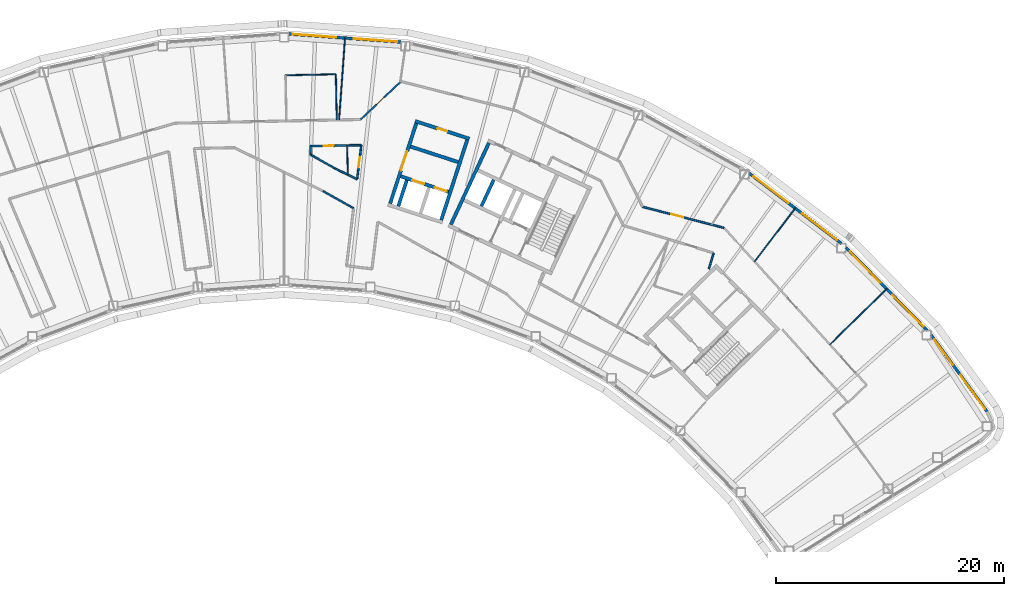
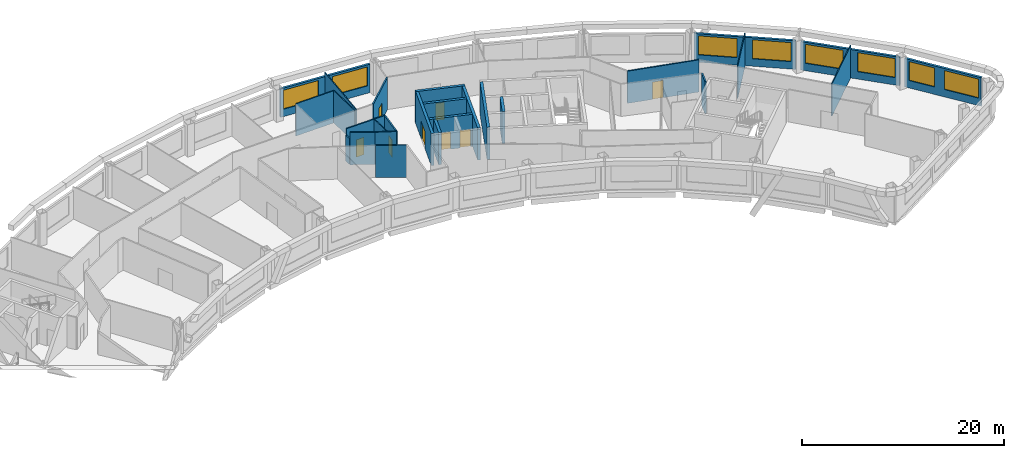
# One storey, part 10 of 14: 27 walls, 8 doors, 8 windows, 16 openings.
"""IFC4 building model written with IfcOpenShell, lengths in metres."""

from ifc_helpers import new_model, si_unit, direction, frame, frame_2d, origin, place, context, subcontext, project, spatial, rectangle, extrude, material, layer, layer_set, type_object, element, fill, save


model = new_model("IFC4")

# Units and contexts
model_context = context("Model", 3, precision=1e-05, world=origin(), true_north=direction((0.0, 1.0)))
body_context = subcontext(model_context, "Body", "Model", "MODEL_VIEW")
ifc_project = project(units=[si_unit("LENGTHUNIT", "METRE"), si_unit("AREAUNIT", "SQUARE_METRE"), si_unit("VOLUMEUNIT", "CUBIC_METRE"), si_unit("PLANEANGLEUNIT", "RADIAN"), si_unit("MASSUNIT", "GRAM", prefix="KILO")], contexts=[model_context])

# Site, building, storey
site_placement = place(None, origin())
site = spatial("IfcSite", under=ifc_project, at=site_placement, CompositionType="ELEMENT")
building_placement = place(site_placement, origin())
building = spatial("IfcBuilding", under=site, at=building_placement, Name="Tuul Gate Civic Tower", CompositionType="ELEMENT")
storey_placement = place(building_placement, frame((0.0, 0.0, 269.39990234375)))
storey = spatial("IfcBuildingStorey", under=building, at=storey_placement, Name="Level 61", CompositionType="ELEMENT", Elevation=269.39990234375)

# Walls
ifc_material_1 = material(Name="Concrete C50/60", Category="concrete")
ifc_layer_1 = layer(ifc_material_1, 0.300048828125)
ifc_layer_set_1 = layer_set([ifc_layer_1], Name="Concrete C50/60")
wall_type_1 = type_object("IfcWallType", Name="Core wall C50/60", PredefinedType="SHEAR", material=ifc_layer_set_1)
wall_1_placement = place(storey_placement, frame((28.349365234375, -1.33447265625, 0.0), z_axis=(0.0, 0.0, 1.0), x_axis=(0.422612891016, 0.906310291427, 0.0)))
element("IfcWall", 1, at=wall_1_placement, inside=storey, type_object=wall_type_1, Name="Core wall", PredefinedType="SHEAR", context=body_context, shape_type="SweptSolid", body=[
    extrude(rectangle(XDim=2.550048828125, YDim=0.300048828125, at=frame_2d((1.27490234375, 0.0))), origin(), (0.0, 0.0, 1.0), 3.900146484375),
])
wall_2_placement = place(storey_placement, frame((25.66455078125, -2.951416015625, 0.0), z_axis=(0.0, 0.0, 1.0), x_axis=(0.422582604137, 0.906324413596, 0.0)))
element("IfcWall", 2, at=wall_2_placement, inside=storey, type_object=wall_type_1, Name="Core wall", PredefinedType="SHEAR", context=body_context, shape_type="SweptSolid", body=[
    extrude(rectangle(XDim=7.89990234375, YDim=0.300048828125, at=frame_2d((3.949951171875, 0.0))), origin(), (0.0, 0.0, 1.0), 3.900146484375),
])

# Wall, opening, door
ifc_material_2 = material(Name="Gypsum board partition")
ifc_layer_2 = layer(ifc_material_2, 0.14990234375)
ifc_layer_set_2 = layer_set([ifc_layer_2], Name="Gypsum board partition")
wall_type_2 = type_object("IfcWallType", Name="Corridor wall P150", PredefinedType="PARTITIONING", material=ifc_layer_set_2)
wall_3_placement = place(storey_placement, frame((42.492919921875, -1.393310546875, 0.0), z_axis=(0.0, 0.0, 1.0), x_axis=(0.968150645679, -0.250368383129, 0.0)))
wall_3 = element("IfcWall", 3, at=wall_3_placement, inside=storey, type_object=wall_type_2, Name="p017", PredefinedType="PARTITIONING", context=body_context, shape_type="SweptSolid", body=[
    extrude(rectangle(XDim=7.377685546875, YDim=0.14990234375, at=frame_2d((3.68896484375, 0.0))), origin(), (0.0, 0.0, 1.0), 3.900146484375),
])
opening_1_placement = place(wall_3_placement, frame((2.579345703125, 0.0, 0.0)))
opening_1 = element("IfcOpeningElement", 4, at=opening_1_placement, cuts=wall_3, Name="Opening W-D05", PredefinedType="OPENING", context=body_context, shape_type="SweptSolid", body=[
    extrude(rectangle(XDim=1.10009765625, YDim=2.10009765625, at=frame_2d((0.550048828125, 1.050048828125))), frame((0.0, 0.0849609375, 0.0), z_axis=(0.0, -1.0, 0.0), x_axis=(1.0, 0.0, 0.0)), (0.0, 0.0, 1.0), 0.169921875),
])
ifc_material_3 = material(Name="Timber door leaf", Category="wood")
door_type_1 = type_object("IfcDoorType", Name="Door D11", OperationType="NOTDEFINED", PredefinedType="DOOR", material=ifc_material_3)
door_1_placement = place(opening_1_placement, origin())
door_1 = element("IfcDoor", 5, at=door_1_placement, inside=storey, type_object=door_type_1, Name="Door W-D05", OperationType="SINGLE_SWING_RIGHT", OverallHeight=2.10009765625, OverallWidth=1.10009765625, PredefinedType="DOOR", context=body_context, shape_type="SweptSolid", body=[
    extrude(rectangle(XDim=1.10009765625, YDim=2.10009765625, at=frame_2d((0.550048828125, 1.050048828125))), frame((0.0, 0.02490234375, 0.0), z_axis=(0.0, -1.0, 0.0), x_axis=(1.0, 0.0, 0.0)), (0.0, 0.0, 1.0), 0.050048828125),
])
fill(opening_1, door_1)

wall_4_placement = place(storey_placement, frame((17.757080078125, 6.2724609375, 0.0), z_axis=(0.0, 0.0, 1.0), x_axis=(0.727431554184, 0.686180248898, 0.0)))
wall_4 = element("IfcWall", 6, at=wall_4_placement, inside=storey, type_object=wall_type_2, Name="p024", PredefinedType="PARTITIONING", context=body_context, shape_type="SweptSolid", body=[
    extrude(rectangle(XDim=4.85302734375, YDim=0.14990234375, at=frame_2d((2.426513671875, 0.0))), origin(), (0.0, 0.0, 1.0), 3.900146484375),
])
opening_2_placement = place(wall_4_placement, frame((1.929931640625, 0.0, 0.0)))
opening_2 = element("IfcOpeningElement", 7, at=opening_2_placement, cuts=wall_4, Name="Opening W-D08", PredefinedType="OPENING", context=body_context, shape_type="SweptSolid", body=[
    extrude(rectangle(XDim=0.89990234375, YDim=2.10009765625, at=frame_2d((0.449951171875, 1.050048828125))), frame((0.0, 0.0849609375, 0.0), z_axis=(0.0, -1.0, 0.0), x_axis=(1.0, 0.0, 0.0)), (0.0, 0.0, 1.0), 0.169921875),
])
ifc_material_4 = material(Name="Timber door leaf", Category="wood")
door_type_2 = type_object("IfcDoorType", Name="Door D09", OperationType="NOTDEFINED", PredefinedType="DOOR", material=ifc_material_4)
door_2_placement = place(opening_2_placement, origin())
door_2 = element("IfcDoor", 8, at=door_2_placement, inside=storey, type_object=door_type_2, Name="Door W-D08", OperationType="SINGLE_SWING_RIGHT", OverallHeight=2.10009765625, OverallWidth=0.89990234375, PredefinedType="DOOR", context=body_context, shape_type="SweptSolid", body=[
    extrude(rectangle(XDim=0.89990234375, YDim=2.10009765625, at=frame_2d((0.449951171875, 1.050048828125))), frame((0.0, 0.02490234375, 0.0), z_axis=(0.0, -1.0, 0.0), x_axis=(1.0, 0.0, 0.0)), (0.0, 0.0, 1.0), 0.050048828125),
])
fill(opening_2, door_2)

# Wall
wall_5_placement = place(storey_placement, frame((14.447265625, -0.01708984375, 0.0), z_axis=(0.0, 0.0, 1.0), x_axis=(0.872175403495, -0.489193280348, 0.0)))
element("IfcWall", 9, at=wall_5_placement, inside=storey, type_object=wall_type_2, Name="p068", PredefinedType="PARTITIONING", context=body_context, shape_type="SweptSolid", body=[
    extrude(rectangle(XDim=3.061767578125, YDim=0.14990234375, at=frame_2d((1.53076171875, 0.0))), origin(), (0.0, 0.0, 1.0), 3.900146484375),
])

# Wall, opening, door
wall_6_placement = place(storey_placement, frame((17.442138671875, 1.023193359375, 0.0), z_axis=(0.0, 0.0, 1.0), x_axis=(0.121882908983, 0.992544485904, 0.0)))
wall_6 = element("IfcWall", 10, at=wall_6_placement, inside=storey, type_object=wall_type_2, Name="p072", PredefinedType="PARTITIONING", context=body_context, shape_type="SweptSolid", body=[
    extrude(rectangle(XDim=3.0166015625, YDim=0.14990234375, at=frame_2d((1.50830078125, 0.0))), origin(), (0.0, 0.0, 1.0), 3.900146484375),
])
opening_3_placement = place(wall_6_placement, frame((1.058349609375, 0.0, 0.0)))
opening_3 = element("IfcOpeningElement", 11, at=opening_3_placement, cuts=wall_6, Name="Opening W-D31", PredefinedType="OPENING", context=body_context, shape_type="SweptSolid", body=[
    extrude(rectangle(XDim=0.89990234375, YDim=2.10009765625, at=frame_2d((0.449951171875, 1.050048828125))), frame((0.0, 0.0849609375, 0.0), z_axis=(0.0, -1.0, 0.0), x_axis=(1.0, 0.0, 0.0)), (0.0, 0.0, 1.0), 0.169921875),
])
door_3_placement = place(opening_3_placement, frame((0.89990234375, 0.0, 0.0), z_axis=(0.0, 0.0, 1.0), x_axis=(-1.0, 0.0, 0.0)))
door_3 = element("IfcDoor", 12, at=door_3_placement, inside=storey, type_object=door_type_2, Name="Door W-D31", OperationType="SINGLE_SWING_LEFT", OverallHeight=2.10009765625, OverallWidth=0.89990234375, PredefinedType="DOOR", context=body_context, shape_type="SweptSolid", body=[
    extrude(rectangle(XDim=0.89990234375, YDim=2.10009765625, at=frame_2d((0.449951171875, 1.050048828125))), frame((0.0, 0.02490234375, 0.0), z_axis=(0.0, -1.0, 0.0), x_axis=(1.0, 0.0, 0.0)), (0.0, 0.0, 1.0), 0.050048828125),
])
fill(opening_3, door_3)

wall_7_placement = place(storey_placement, frame((13.349853515625, 3.928466796875, 0.0), z_axis=(0.0, 0.0, 1.0), x_axis=(0.999801545263, 0.019921598559, 0.0)))
wall_7 = element("IfcWall", 13, at=wall_7_placement, inside=storey, type_object=wall_type_2, Name="p084", PredefinedType="PARTITIONING", context=body_context, shape_type="SweptSolid", body=[
    extrude(rectangle(XDim=4.4609375, YDim=0.14990234375, at=frame_2d((2.23046875, 0.0))), origin(), (0.0, 0.0, 1.0), 3.900146484375),
])
opening_4_placement = place(wall_7_placement, frame((1.159912109375, 0.0, 0.0)))
opening_4 = element("IfcOpeningElement", 14, at=opening_4_placement, cuts=wall_7, Name="Opening W-D27", PredefinedType="OPENING", context=body_context, shape_type="SweptSolid", body=[
    extrude(rectangle(XDim=0.89990234375, YDim=2.10009765625, at=frame_2d((0.449951171875, 1.050048828125))), frame((0.0, 0.0849609375, 0.0), z_axis=(0.0, -1.0, 0.0), x_axis=(1.0, 0.0, 0.0)), (0.0, 0.0, 1.0), 0.169921875),
])
door_4_placement = place(opening_4_placement, frame((0.89990234375, 0.0, 0.0), z_axis=(0.0, 0.0, 1.0), x_axis=(-1.0, 0.0, 0.0)))
door_4 = element("IfcDoor", 15, at=door_4_placement, inside=storey, type_object=door_type_2, Name="Door W-D27", OperationType="SINGLE_SWING_LEFT", OverallHeight=2.10009765625, OverallWidth=0.89990234375, PredefinedType="DOOR", context=body_context, shape_type="SweptSolid", body=[
    extrude(rectangle(XDim=0.89990234375, YDim=2.10009765625, at=frame_2d((0.449951171875, 1.050048828125))), frame((0.0, 0.02490234375, 0.0), z_axis=(0.0, -1.0, 0.0), x_axis=(1.0, 0.0, 0.0)), (0.0, 0.0, 1.0), 0.050048828125),
])
fill(opening_4, door_4)

# Walls
wall_8_placement = place(storey_placement, frame((15.49267578125, 1.976318359375, 0.0), z_axis=(0.0, 0.0, 1.0), x_axis=(0.898374495524, -0.439230310648, 0.0)))
element("IfcWall", 16, at=wall_8_placement, inside=storey, type_object=wall_type_2, Name="p097", PredefinedType="PARTITIONING", context=body_context, shape_type="SweptSolid", body=[
    extrude(rectangle(XDim=2.169921875, YDim=0.14990234375, at=frame_2d((1.0849609375, 0.0))), origin(), (0.0, 0.0, 1.0), 3.900146484375),
])
wall_9_placement = place(storey_placement, frame((13.364990234375, 3.169921875, 0.0), z_axis=(0.0, 0.0, 1.0), x_axis=(0.872138875134, -0.48925840052, 0.0)))
element("IfcWall", 17, at=wall_9_placement, inside=storey, type_object=wall_type_2, Name="p098", PredefinedType="PARTITIONING", context=body_context, shape_type="SweptSolid", body=[
    extrude(rectangle(XDim=2.439697265625, YDim=0.14990234375, at=frame_2d((1.2197265625, 0.0))), origin(), (0.0, 0.0, 1.0), 3.900146484375),
])
wall_10_placement = place(storey_placement, frame((48.298583984375, -6.843505859375, 0.0), z_axis=(0.0, 0.0, 1.0), x_axis=(0.292598304993, 0.956235447949, 0.0)))
element("IfcWall", 18, at=wall_10_placement, inside=storey, type_object=wall_type_2, Name="p103", PredefinedType="PARTITIONING", context=body_context, shape_type="SweptSolid", body=[
    extrude(rectangle(XDim=1.45361328125, YDim=0.14990234375, at=frame_2d((0.726806640625, 0.0))), origin(), (0.0, 0.0, 1.0), 3.900146484375),
])
ifc_material_5 = material(Name="Gypsum board partition")
ifc_layer_3 = layer(ifc_material_5, 0.14990234375)
ifc_layer_set_3 = layer_set([ifc_layer_3], Name="Gypsum board partition")
wall_type_3 = type_object("IfcWallType", Name="Corridor wall P150 3100 HIGH", PredefinedType="PARTITIONING", material=ifc_layer_set_3)
wall_11_placement = place(storey_placement, frame((13.349853515625, 3.928466796875, 0.0), z_axis=(0.0, 0.0, 1.0), x_axis=(0.019950968618, -0.999800959617, 0.0)))
element("IfcWall", 19, at=wall_11_placement, inside=storey, type_object=wall_type_3, Name="p100", PredefinedType="PARTITIONING", context=body_context, shape_type="SweptSolid", body=[
    extrude(rectangle(XDim=0.7587890625, YDim=0.14990234375, at=frame_2d((0.37939453125, 0.0))), origin(), (0.0, 0.0, 1.0), 3.10009765625),
])

# Wall, openings, windows
ifc_material_6 = material(Name="Precast concrete C40/50", Category="concrete")
ifc_layer_4 = layer(ifc_material_6, 0.25)
ifc_layer_set_4 = layer_set([ifc_layer_4], Name="Precast concrete C40/50")
wall_type_4 = type_object("IfcWallType", Name="External wall", PredefinedType="STANDARD", material=ifc_layer_set_4)
wall_12_placement = place(storey_placement, frame((72.719970703125, -19.37060546875, 0.0), z_axis=(0.0, 0.0, 1.0), x_axis=(-0.589821256366, 0.807533829346, 0.0)))
wall_12 = element("IfcWall", 20, at=wall_12_placement, inside=storey, type_object=wall_type_4, Name="External wall", PredefinedType="STANDARD", context=body_context, shape_type="SweptSolid", body=[
    extrude(rectangle(XDim=8.33642578125, YDim=0.25, at=frame_2d((4.168212890625, 0.0))), origin(), (0.0, 0.0, 1.0), 3.4501953125),
])
opening_5_placement = place(wall_12_placement, frame((0.30078125, 0.0, 0.89990234375)))
opening_5 = element("IfcOpeningElement", 21, at=opening_5_placement, cuts=wall_12, Name="Opening W21", PredefinedType="OPENING", context=body_context, shape_type="SweptSolid", body=[
    extrude(rectangle(XDim=3.699951171875, YDim=2.300048828125, at=frame_2d((1.85009765625, 1.14990234375))), frame((0.0, 0.135009765625, 0.0), z_axis=(0.0, -1.0, 0.0), x_axis=(1.0, 0.0, 0.0)), (0.0, 0.0, 1.0), 0.27001953125),
])
opening_6_placement = place(wall_12_placement, frame((5.052001953125, 0.0, 0.89990234375)))
opening_6 = element("IfcOpeningElement", 22, at=opening_6_placement, cuts=wall_12, Name="Opening W23", PredefinedType="OPENING", context=body_context, shape_type="SweptSolid", body=[
    extrude(rectangle(XDim=2.800048828125, YDim=2.300048828125, at=frame_2d((1.39990234375, 1.14990234375))), frame((0.0, 0.135009765625, 0.0), z_axis=(0.0, -1.0, 0.0), x_axis=(1.0, 0.0, 0.0)), (0.0, 0.0, 1.0), 0.27001953125),
])
ifc_material_7 = material(Name="Glass", Category="glass")
window_type_1 = type_object("IfcWindowType", Name="Window W21 3700 x 2300", PartitioningType="SINGLE_PANEL", PredefinedType="WINDOW", material=ifc_material_7)
window_1_placement = place(opening_5_placement, origin())
window_1 = element("IfcWindow", 23, at=window_1_placement, inside=storey, type_object=window_type_1, Name="Window", OverallHeight=2.300048828125, OverallWidth=3.699951171875, PartitioningType="SINGLE_PANEL", PredefinedType="WINDOW", context=body_context, shape_type="SweptSolid", body=[
    extrude(rectangle(XDim=3.699951171875, YDim=2.300048828125, at=frame_2d((1.85009765625, 1.14990234375))), frame((0.0, 0.030029296875, 0.0), z_axis=(0.0, -1.0, 0.0), x_axis=(1.0, 0.0, 0.0)), (0.0, 0.0, 1.0), 0.06005859375),
])
fill(opening_5, window_1)
ifc_material_8 = material(Name="Glass", Category="glass")
window_type_2 = type_object("IfcWindowType", Name="Window W23 2800 x 2300", PartitioningType="SINGLE_PANEL", PredefinedType="WINDOW", material=ifc_material_8)
window_2_placement = place(opening_6_placement, origin())
window_2 = element("IfcWindow", 24, at=window_2_placement, inside=storey, type_object=window_type_2, Name="Window", OverallHeight=2.300048828125, OverallWidth=2.800048828125, PartitioningType="SINGLE_PANEL", PredefinedType="WINDOW", context=body_context, shape_type="SweptSolid", body=[
    extrude(rectangle(XDim=2.800048828125, YDim=2.300048828125, at=frame_2d((1.39990234375, 1.14990234375))), frame((0.0, 0.030029296875, 0.0), z_axis=(0.0, -1.0, 0.0), x_axis=(1.0, 0.0, 0.0)), (0.0, 0.0, 1.0), 0.06005859375),
])
fill(opening_6, window_2)

wall_13_placement = place(storey_placement, frame((67.466064453125, -12.241943359375, 0.0), z_axis=(0.0, 0.0, 1.0), x_axis=(-0.700008693155, 0.714134321754, 0.0)))
wall_13 = element("IfcWall", 25, at=wall_13_placement, inside=storey, type_object=wall_type_4, Name="External wall", PredefinedType="STANDARD", context=body_context, shape_type="SweptSolid", body=[
    extrude(rectangle(XDim=10.197265625, YDim=0.25, at=frame_2d((5.0986328125, 0.0))), origin(), (0.0, 0.0, 1.0), 3.4501953125),
])
opening_7_placement = place(wall_13_placement, frame((0.487060546875, 0.0, 0.89990234375)))
opening_7 = element("IfcOpeningElement", 26, at=opening_7_placement, cuts=wall_13, Name="Opening W22", PredefinedType="OPENING", context=body_context, shape_type="SweptSolid", body=[
    extrude(rectangle(XDim=3.85009765625, YDim=2.300048828125, at=frame_2d((1.925048828125, 1.14990234375))), frame((0.0, 0.135009765625, 0.0), z_axis=(0.0, -1.0, 0.0), x_axis=(1.0, 0.0, 0.0)), (0.0, 0.0, 1.0), 0.27001953125),
])
opening_8_placement = place(wall_13_placement, frame((5.8583984375, 0.0, 0.89990234375)))
opening_8 = element("IfcOpeningElement", 27, at=opening_8_placement, cuts=wall_13, Name="Opening W22", PredefinedType="OPENING", context=body_context, shape_type="SweptSolid", body=[
    extrude(rectangle(XDim=3.85009765625, YDim=2.300048828125, at=frame_2d((1.925048828125, 1.14990234375))), frame((0.0, 0.135009765625, 0.0), z_axis=(0.0, -1.0, 0.0), x_axis=(1.0, 0.0, 0.0)), (0.0, 0.0, 1.0), 0.27001953125),
])
ifc_material_9 = material(Name="Glass", Category="glass")
window_type_3 = type_object("IfcWindowType", Name="Window W22 3850 x 2300", PartitioningType="SINGLE_PANEL", PredefinedType="WINDOW", material=ifc_material_9)
window_3_placement = place(opening_7_placement, origin())
window_3 = element("IfcWindow", 28, at=window_3_placement, inside=storey, type_object=window_type_3, Name="Window", OverallHeight=2.300048828125, OverallWidth=3.85009765625, PartitioningType="SINGLE_PANEL", PredefinedType="WINDOW", context=body_context, shape_type="SweptSolid", body=[
    extrude(rectangle(XDim=3.85009765625, YDim=2.300048828125, at=frame_2d((1.925048828125, 1.14990234375))), frame((0.0, 0.030029296875, 0.0), z_axis=(0.0, -1.0, 0.0), x_axis=(1.0, 0.0, 0.0)), (0.0, 0.0, 1.0), 0.06005859375),
])
fill(opening_7, window_3)
window_4_placement = place(opening_8_placement, origin())
window_4 = element("IfcWindow", 29, at=window_4_placement, inside=storey, type_object=window_type_3, Name="Window", OverallHeight=2.300048828125, OverallWidth=3.85009765625, PartitioningType="SINGLE_PANEL", PredefinedType="WINDOW", context=body_context, shape_type="SweptSolid", body=[
    extrude(rectangle(XDim=3.85009765625, YDim=2.300048828125, at=frame_2d((1.925048828125, 1.14990234375))), frame((0.0, 0.030029296875, 0.0), z_axis=(0.0, -1.0, 0.0), x_axis=(1.0, 0.0, 0.0)), (0.0, 0.0, 1.0), 0.06005859375),
])
fill(opening_8, window_4)

wall_14_placement = place(storey_placement, frame((59.9404296875, -4.616943359375, 0.0), z_axis=(0.0, 0.0, 1.0), x_axis=(-0.795654969417, 0.605750088437, 0.0)))
wall_14 = element("IfcWall", 30, at=wall_14_placement, inside=storey, type_object=wall_type_4, Name="External wall", PredefinedType="STANDARD", context=body_context, shape_type="SweptSolid", body=[
    extrude(rectangle(XDim=10.189697265625, YDim=0.25, at=frame_2d((5.0947265625, 0.0))), origin(), (0.0, 0.0, 1.0), 3.4501953125),
])
opening_9_placement = place(wall_14_placement, frame((0.49560546875, 0.0, 0.89990234375)))
opening_9 = element("IfcOpeningElement", 31, at=opening_9_placement, cuts=wall_14, Name="Opening W22", PredefinedType="OPENING", context=body_context, shape_type="SweptSolid", body=[
    extrude(rectangle(XDim=3.85009765625, YDim=2.300048828125, at=frame_2d((1.925048828125, 1.14990234375))), frame((0.0, 0.135009765625, 0.0), z_axis=(0.0, -1.0, 0.0), x_axis=(1.0, 0.0, 0.0)), (0.0, 0.0, 1.0), 0.27001953125),
])
opening_10_placement = place(wall_14_placement, frame((5.86669921875, 0.0, 0.89990234375)))
opening_10 = element("IfcOpeningElement", 32, at=opening_10_placement, cuts=wall_14, Name="Opening W22", PredefinedType="OPENING", context=body_context, shape_type="SweptSolid", body=[
    extrude(rectangle(XDim=3.85009765625, YDim=2.300048828125, at=frame_2d((1.925048828125, 1.14990234375))), frame((0.0, 0.135009765625, 0.0), z_axis=(0.0, -1.0, 0.0), x_axis=(1.0, 0.0, 0.0)), (0.0, 0.0, 1.0), 0.27001953125),
])
window_5_placement = place(opening_9_placement, origin())
window_5 = element("IfcWindow", 33, at=window_5_placement, inside=storey, type_object=window_type_3, Name="Window", OverallHeight=2.300048828125, OverallWidth=3.85009765625, PartitioningType="SINGLE_PANEL", PredefinedType="WINDOW", context=body_context, shape_type="SweptSolid", body=[
    extrude(rectangle(XDim=3.85009765625, YDim=2.300048828125, at=frame_2d((1.925048828125, 1.14990234375))), frame((0.0, 0.030029296875, 0.0), z_axis=(0.0, -1.0, 0.0), x_axis=(1.0, 0.0, 0.0)), (0.0, 0.0, 1.0), 0.06005859375),
])
fill(opening_9, window_5)
window_6_placement = place(opening_10_placement, origin())
window_6 = element("IfcWindow", 34, at=window_6_placement, inside=storey, type_object=window_type_3, Name="Window", OverallHeight=2.300048828125, OverallWidth=3.85009765625, PartitioningType="SINGLE_PANEL", PredefinedType="WINDOW", context=body_context, shape_type="SweptSolid", body=[
    extrude(rectangle(XDim=3.85009765625, YDim=2.300048828125, at=frame_2d((1.925048828125, 1.14990234375))), frame((0.0, 0.030029296875, 0.0), z_axis=(0.0, -1.0, 0.0), x_axis=(1.0, 0.0, 0.0)), (0.0, 0.0, 1.0), 0.06005859375),
])
fill(opening_10, window_6)

wall_15_placement = place(storey_placement, frame((21.280029296875, 13.057373046875, 0.0), z_axis=(0.0, 0.0, 1.0), x_axis=(-0.99738717169, 0.072241468338, 0.0)))
wall_15 = element("IfcWall", 35, at=wall_15_placement, inside=storey, type_object=wall_type_4, Name="External wall", PredefinedType="STANDARD", context=body_context, shape_type="SweptSolid", body=[
    extrude(rectangle(XDim=9.875, YDim=0.25, at=frame_2d((4.9375, 0.0))), origin(), (0.0, 0.0, 1.0), 3.4501953125),
])
opening_11_placement = place(wall_15_placement, frame((0.303466796875, 0.0, 0.89990234375)))
opening_11 = element("IfcOpeningElement", 36, at=opening_11_placement, cuts=wall_15, Name="Opening W22", PredefinedType="OPENING", context=body_context, shape_type="SweptSolid", body=[
    extrude(rectangle(XDim=3.85009765625, YDim=2.300048828125, at=frame_2d((1.925048828125, 1.14990234375))), frame((0.0, 0.135009765625, 0.0), z_axis=(0.0, -1.0, 0.0), x_axis=(1.0, 0.0, 0.0)), (0.0, 0.0, 1.0), 0.27001953125),
])
opening_12_placement = place(wall_15_placement, frame((5.67431640625, 0.0, 0.89990234375)))
opening_12 = element("IfcOpeningElement", 37, at=opening_12_placement, cuts=wall_15, Name="Opening W22", PredefinedType="OPENING", context=body_context, shape_type="SweptSolid", body=[
    extrude(rectangle(XDim=3.85009765625, YDim=2.300048828125, at=frame_2d((1.925048828125, 1.14990234375))), frame((0.0, 0.135009765625, 0.0), z_axis=(0.0, -1.0, 0.0), x_axis=(1.0, 0.0, 0.0)), (0.0, 0.0, 1.0), 0.27001953125),
])
window_7_placement = place(opening_11_placement, origin())
window_7 = element("IfcWindow", 38, at=window_7_placement, inside=storey, type_object=window_type_3, Name="Window", OverallHeight=2.300048828125, OverallWidth=3.85009765625, PartitioningType="SINGLE_PANEL", PredefinedType="WINDOW", context=body_context, shape_type="SweptSolid", body=[
    extrude(rectangle(XDim=3.85009765625, YDim=2.300048828125, at=frame_2d((1.925048828125, 1.14990234375))), frame((0.0, 0.030029296875, 0.0), z_axis=(0.0, -1.0, 0.0), x_axis=(1.0, 0.0, 0.0)), (0.0, 0.0, 1.0), 0.06005859375),
])
fill(opening_11, window_7)
window_8_placement = place(opening_12_placement, origin())
window_8 = element("IfcWindow", 39, at=window_8_placement, inside=storey, type_object=window_type_3, Name="Window", OverallHeight=2.300048828125, OverallWidth=3.85009765625, PartitioningType="SINGLE_PANEL", PredefinedType="WINDOW", context=body_context, shape_type="SweptSolid", body=[
    extrude(rectangle(XDim=3.85009765625, YDim=2.300048828125, at=frame_2d((1.925048828125, 1.14990234375))), frame((0.0, 0.030029296875, 0.0), z_axis=(0.0, -1.0, 0.0), x_axis=(1.0, 0.0, 0.0)), (0.0, 0.0, 1.0), 0.06005859375),
])
fill(opening_12, window_8)

# Wall, openings, doors
ifc_material_10 = material(Name="Concrete C40/50", Category="concrete")
ifc_layer_5 = layer(ifc_material_10, 0.300048828125)
ifc_layer_set_5 = layer_set([ifc_layer_5], Name="Concrete C40/50")
wall_type_5 = type_object("IfcWallType", Name="Lift shaft wall C40/50", PredefinedType="STANDARD", material=ifc_layer_set_5)
wall_16_placement = place(storey_placement, frame((25.460693359375, -0.0859375, 0.0), z_axis=(0.0, 0.0, 1.0), x_axis=(-0.951063829732, 0.308994485023, 0.0)))
wall_16 = element("IfcWall", 40, at=wall_16_placement, inside=storey, type_object=wall_type_5, Name="Shaft wall", PredefinedType="STANDARD", context=body_context, shape_type="SweptSolid", body=[
    extrude(rectangle(XDim=4.400146484375, YDim=0.300048828125, at=frame_2d((2.2001953125, 0.0))), origin(), (0.0, 0.0, 1.0), 3.900146484375),
])
opening_13_placement = place(wall_16_placement, frame((0.175048828125, 0.0, 0.0)))
opening_13 = element("IfcOpeningElement", 41, at=opening_13_placement, cuts=wall_16, Name="Opening LD-H2", PredefinedType="OPENING", context=body_context, shape_type="SweptSolid", body=[
    extrude(rectangle(XDim=1.10009765625, YDim=2.10009765625, at=frame_2d((0.550048828125, 1.050048828125))), frame((0.0, 0.16015625, 0.0), z_axis=(0.0, -1.0, 0.0), x_axis=(1.0, 0.0, 0.0)), (0.0, 0.0, 1.0), 0.320068359375),
])
opening_14_placement = place(wall_16_placement, frame((2.22509765625, 0.0, 0.0)))
opening_14 = element("IfcOpeningElement", 42, at=opening_14_placement, cuts=wall_16, Name="Opening LD-H3", PredefinedType="OPENING", context=body_context, shape_type="SweptSolid", body=[
    extrude(rectangle(XDim=1.10009765625, YDim=2.10009765625, at=frame_2d((0.550048828125, 1.050048828125))), frame((0.0, 0.16015625, 0.0), z_axis=(0.0, -1.0, 0.0), x_axis=(1.0, 0.0, 0.0)), (0.0, 0.0, 1.0), 0.320068359375),
])
ifc_material_11 = material(Name="Stainless steel", Category="steel")
door_type_3 = type_object("IfcDoorType", Name="Landing door", OperationType="DOUBLE_DOOR_SLIDING", PredefinedType="DOOR", material=ifc_material_11)
door_5_placement = place(opening_13_placement, origin())
door_5 = element("IfcDoor", 43, at=door_5_placement, inside=storey, type_object=door_type_3, Name="High-rise lift H2 landing door", OperationType="DOUBLE_DOOR_SLIDING", OverallHeight=2.10009765625, OverallWidth=1.10009765625, PredefinedType="DOOR", context=body_context, shape_type="SweptSolid", body=[
    extrude(rectangle(XDim=1.10009765625, YDim=2.10009765625, at=frame_2d((0.550048828125, 1.050048828125))), frame((0.0, 0.02490234375, 0.0), z_axis=(0.0, -1.0, 0.0), x_axis=(1.0, 0.0, 0.0)), (0.0, 0.0, 1.0), 0.050048828125),
])
fill(opening_13, door_5)
door_6_placement = place(opening_14_placement, origin())
door_6 = element("IfcDoor", 44, at=door_6_placement, inside=storey, type_object=door_type_3, Name="High-rise lift H3 landing door", OperationType="DOUBLE_DOOR_SLIDING", OverallHeight=2.10009765625, OverallWidth=1.10009765625, PredefinedType="DOOR", context=body_context, shape_type="SweptSolid", body=[
    extrude(rectangle(XDim=1.10009765625, YDim=2.10009765625, at=frame_2d((0.550048828125, 1.050048828125))), frame((0.0, 0.02490234375, 0.0), z_axis=(0.0, -1.0, 0.0), x_axis=(1.0, 0.0, 0.0)), (0.0, 0.0, 1.0), 0.050048828125),
])
fill(opening_14, door_6)

# Wall
wall_17_placement = place(storey_placement, frame((26.310546875, 2.529541015625, 0.0), z_axis=(0.0, 0.0, 1.0), x_axis=(-0.951058531764, 0.30901079133, 0.0)))
element("IfcWall", 45, at=wall_17_placement, inside=storey, type_object=wall_type_5, Name="Shaft wall", PredefinedType="STANDARD", context=body_context, shape_type="SweptSolid", body=[
    extrude(rectangle(XDim=4.39990234375, YDim=0.300048828125, at=frame_2d((2.199951171875, 0.0))), origin(), (0.0, 0.0, 1.0), 3.900146484375),
])

# Wall, opening, door
wall_18_placement = place(storey_placement, frame((27.29150390625, 4.57666015625, 0.0), z_axis=(0.0, 0.0, 1.0), x_axis=(-0.951067792613, 0.308982287281, 0.0)))
wall_18 = element("IfcWall", 46, at=wall_18_placement, inside=storey, type_object=wall_type_5, Name="Shaft wall", PredefinedType="STANDARD", context=body_context, shape_type="SweptSolid", body=[
    extrude(rectangle(XDim=5.0, YDim=0.300048828125, at=frame_2d((2.5, 0.0))), origin(), (0.0, 0.0, 1.0), 3.900146484375),
])
opening_15_placement = place(wall_18_placement, frame((2.050048828125, 0.0, 0.0)))
opening_15 = element("IfcOpeningElement", 47, at=opening_15_placement, cuts=wall_18, Name="Opening W-D39", PredefinedType="OPENING", context=body_context, shape_type="SweptSolid", body=[
    extrude(rectangle(XDim=0.89990234375, YDim=2.10009765625, at=frame_2d((0.449951171875, 1.050048828125))), frame((0.0, 0.16015625, 0.0), z_axis=(0.0, -1.0, 0.0), x_axis=(1.0, 0.0, 0.0)), (0.0, 0.0, 1.0), 0.320068359375),
])
door_7_placement = place(opening_15_placement, origin())
door_7 = element("IfcDoor", 48, at=door_7_placement, inside=storey, type_object=door_type_2, Name="Door W-D39", OperationType="SINGLE_SWING_LEFT", OverallHeight=2.10009765625, OverallWidth=0.89990234375, PredefinedType="DOOR", context=body_context, shape_type="SweptSolid", body=[
    extrude(rectangle(XDim=0.89990234375, YDim=2.10009765625, at=frame_2d((0.449951171875, 1.050048828125))), frame((0.0, 0.02490234375, 0.0), z_axis=(0.0, -1.0, 0.0), x_axis=(1.0, 0.0, 0.0)), (0.0, 0.0, 1.0), 0.050048828125),
])
fill(opening_15, door_7)

# Walls
wall_19_placement = place(storey_placement, frame((24.815185546875, -2.557373046875, 0.0), z_axis=(0.0, 0.0, 1.0), x_axis=(0.30907264409, 0.951038432807, 0.0)))
element("IfcWall", 49, at=wall_19_placement, inside=storey, type_object=wall_type_5, Name="Shaft wall", PredefinedType="STANDARD", context=body_context, shape_type="SweptSolid", body=[
    extrude(rectangle(XDim=7.39990234375, YDim=0.300048828125, at=frame_2d((3.699951171875, 0.0))), origin(), (0.0, 0.0, 1.0), 3.900146484375),
])
wall_20_placement = place(storey_placement, frame((21.058349609375, -1.336669921875, 0.0), z_axis=(0.0, 0.0, 1.0), x_axis=(0.309138975195, 0.951016873675, 0.0)))
element("IfcWall", 50, at=wall_20_placement, inside=storey, type_object=wall_type_5, Name="Shaft wall", PredefinedType="STANDARD", context=body_context, shape_type="SweptSolid", body=[
    extrude(rectangle(XDim=2.400146484375, YDim=0.300048828125, at=frame_2d((1.2001953125, 0.0))), origin(), (0.0, 0.0, 1.0), 3.900146484375),
])

# Wall, opening, door
wall_21_placement = place(storey_placement, frame((20.34521484375, -1.10498046875, 0.0), z_axis=(0.0, 0.0, 1.0), x_axis=(0.30907264409, 0.951038432807, 0.0)))
wall_21 = element("IfcWall", 51, at=wall_21_placement, inside=storey, type_object=wall_type_5, Name="Shaft wall", PredefinedType="STANDARD", context=body_context, shape_type="SweptSolid", body=[
    extrude(rectangle(XDim=7.39990234375, YDim=0.300048828125, at=frame_2d((3.699951171875, 0.0))), origin(), (0.0, 0.0, 1.0), 3.900146484375),
])
opening_16_placement = place(wall_21_placement, frame((3.02490234375, 0.0, 0.0)))
opening_16 = element("IfcOpeningElement", 52, at=opening_16_placement, cuts=wall_21, Name="Opening LB-E4-LOBBY-1", PredefinedType="OPENING", context=body_context, shape_type="SweptSolid", body=[
    extrude(rectangle(XDim=1.800048828125, YDim=2.10009765625, at=frame_2d((0.89990234375, 1.050048828125))), frame((0.0, 0.16015625, 0.0), z_axis=(0.0, -1.0, 0.0), x_axis=(1.0, 0.0, 0.0)), (0.0, 0.0, 1.0), 0.320068359375),
])
ifc_material_12 = material(Name="Steel", Category="steel")
door_type_4 = type_object("IfcDoorType", Name="Lobby door", OperationType="DOUBLE_DOOR_SINGLE_SWING", PredefinedType="DOOR", material=ifc_material_12)
door_8_placement = place(opening_16_placement, frame((1.800048828125, 0.0, 0.0), z_axis=(0.0, 0.0, 1.0), x_axis=(-1.0, 0.0, 0.0)))
door_8 = element("IfcDoor", 53, at=door_8_placement, inside=storey, type_object=door_type_4, Name="Lobby door E4-LOBBY", OperationType="DOUBLE_DOOR_SINGLE_SWING", OverallHeight=2.10009765625, OverallWidth=1.800048828125, PredefinedType="DOOR", context=body_context, shape_type="SweptSolid", body=[
    extrude(rectangle(XDim=1.800048828125, YDim=2.10009765625, at=frame_2d((0.900146484375, 1.050048828125))), frame((0.0, 0.02490234375, 0.0), z_axis=(0.0, -1.0, 0.0), x_axis=(1.0, 0.0, 0.0)), (0.0, 0.0, 1.0), 0.050048828125),
])
fill(opening_16, door_8)

# Walls
ifc_material_13 = material(Name="Gypsum board partition")
ifc_layer_6 = layer(ifc_material_13, 0.10009765625)
ifc_layer_set_6 = layer_set([ifc_layer_6], Name="Gypsum board partition")
wall_type_6 = type_object("IfcWallType", Name="Partition P100", PredefinedType="PARTITIONING", material=ifc_layer_set_6)
wall_22_placement = place(storey_placement, frame((58.923583984375, -13.4775390625, 0.0), z_axis=(0.0, 0.0, 1.0), x_axis=(0.714129140849, 0.700013978568, 0.0)))
element("IfcWall", 54, at=wall_22_placement, inside=storey, type_object=wall_type_6, Name="p009", PredefinedType="PARTITIONING", context=body_context, shape_type="SweptSolid", body=[
    extrude(rectangle(XDim=6.970458984375, YDim=0.10009765625, at=frame_2d((3.4853515625, 0.0))), origin(), (0.0, 0.0, 1.0), 3.900146484375),
])
wall_23_placement = place(storey_placement, frame((52.319091796875, -6.19775390625, 0.0), z_axis=(0.0, 0.0, 1.0), x_axis=(0.605804227118, 0.795613749508, 0.0)))
element("IfcWall", 55, at=wall_23_placement, inside=storey, type_object=wall_type_6, Name="p015", PredefinedType="PARTITIONING", context=body_context, shape_type="SweptSolid", body=[
    extrude(rectangle(XDim=5.87939453125, YDim=0.10009765625, at=frame_2d((2.939697265625, 0.0))), origin(), (0.0, 0.0, 1.0), 3.900146484375),
])
wall_24_placement = place(storey_placement, frame((15.85888671875, 6.22900390625, 0.0), z_axis=(0.0, 0.0, 1.0), x_axis=(0.072222003716, 0.997388581336, 0.0)))
element("IfcWall", 56, at=wall_24_placement, inside=storey, type_object=wall_type_6, Name="p025", PredefinedType="PARTITIONING", context=body_context, shape_type="SweptSolid", body=[
    extrude(rectangle(XDim=7.20703125, YDim=0.10009765625, at=frame_2d((3.603515625, 0.0))), origin(), (0.0, 0.0, 1.0), 3.900146484375),
])
wall_25_placement = place(storey_placement, frame((11.1552734375, 10.145751953125, 0.0), z_axis=(0.0, 0.0, 1.0), x_axis=(0.999800082064, 0.019994896951, 0.0)))
element("IfcWall", 57, at=wall_25_placement, inside=storey, type_object=wall_type_6, Name="p028", PredefinedType="PARTITIONING", context=body_context, shape_type="SweptSolid", body=[
    extrude(rectangle(XDim=4.420166015625, YDim=0.10009765625, at=frame_2d((2.2099609375, 0.0))), origin(), (0.0, 0.0, 1.0), 3.900146484375),
])
wall_26_placement = place(storey_placement, frame((15.574462890625, 10.234130859375, 0.0), z_axis=(0.0, 0.0, 1.0), x_axis=(0.019908366307, -0.999801808836, 0.0)))
element("IfcWall", 58, at=wall_26_placement, inside=storey, type_object=wall_type_6, Name="p029", PredefinedType="PARTITIONING", context=body_context, shape_type="SweptSolid", body=[
    extrude(rectangle(XDim=4.010009765625, YDim=0.10009765625, at=frame_2d((2.0048828125, 0.0))), origin(), (0.0, 0.0, 1.0), 3.900146484375),
])
wall_27_placement = place(storey_placement, frame((16.5693359375, 3.99267578125, 0.0), z_axis=(0.0, 0.0, 1.0), x_axis=(0.019961794651, -0.999800743526, 0.0)))
element("IfcWall", 59, at=wall_27_placement, inside=storey, type_object=wall_type_6, Name="p101", PredefinedType="PARTITIONING", context=body_context, shape_type="SweptSolid", body=[
    extrude(rectangle(XDim=2.568359375, YDim=0.10009765625, at=frame_2d((1.2841796875, 0.0))), origin(), (0.0, 0.0, 1.0), 3.900146484375),
])

save(model, "model.ifc")
